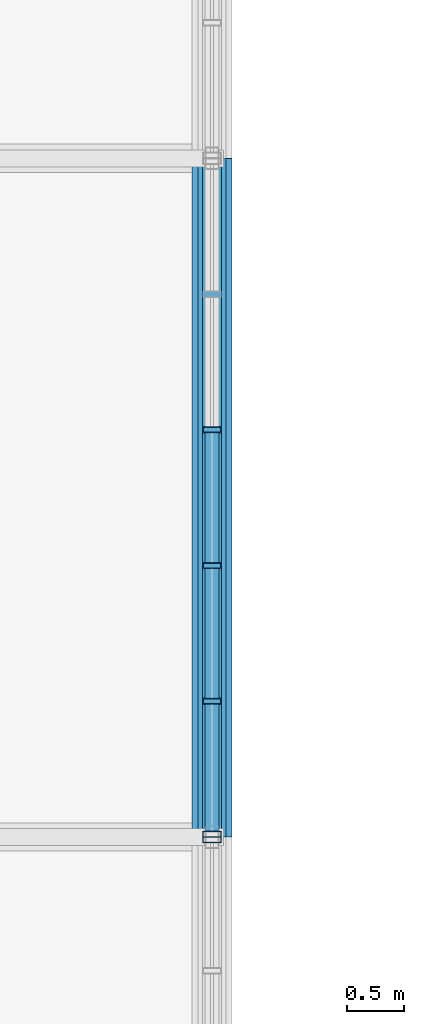
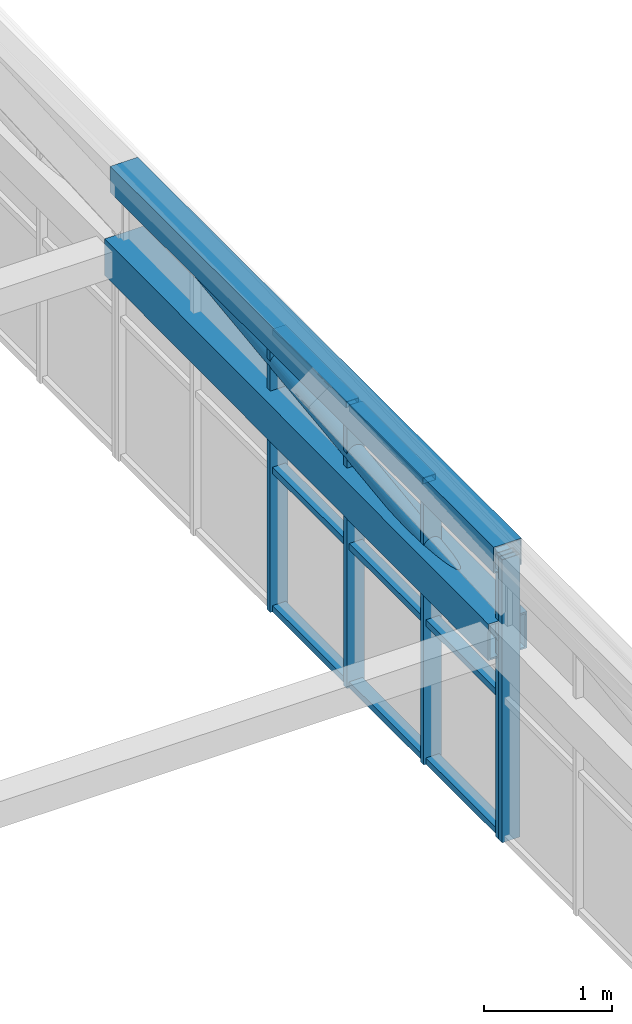
# One storey, part 224 of 324: 17 members, 2 elements without a shape of their own.
"""IFC4 building model written with IfcOpenShell, lengths in metres."""

from ifc_helpers import new_model, si_unit, direction, frame, origin, origin_2d, place, context, subcontext, project, spatial, hollow_rectangle, hollow_circle, extrude, material, layer, layer_set, material_profile, profile_set, type_object, element, aggregate, save


model = new_model("IFC4")

# Units and contexts
model_context = context("Model", 3, precision=1e-05, world=origin(), true_north=direction((0.0, 1.0)))
body_context = subcontext(model_context, "Body", "Model", "MODEL_VIEW")
ifc_project = project(units=[si_unit("LENGTHUNIT", "METRE"), si_unit("AREAUNIT", "SQUARE_METRE"), si_unit("VOLUMEUNIT", "CUBIC_METRE"), si_unit("PLANEANGLEUNIT", "RADIAN"), si_unit("MASSUNIT", "GRAM", prefix="KILO")], contexts=[model_context])

# Site, building, storey
site_placement = place(None, origin())
site = spatial("IfcSite", under=ifc_project, at=site_placement, CompositionType="ELEMENT")
building_placement = place(site_placement, origin())
building = spatial("IfcBuilding", under=site, at=building_placement, Name="Solvenia Promenade Tram Depot", CompositionType="ELEMENT")
storey_placement = place(building_placement, frame((0.0, 0.0, 4.5)))
storey = spatial("IfcBuildingStorey", under=building, at=storey_placement, Name="L01", CompositionType="ELEMENT", Elevation=4.5)

# Curtain wall, member
ifc_material_1 = material(Name="Anodized aluminium AW-6063 T6", Category="aluminium")
ifc_layer = layer(ifc_material_1, 0.159912109375, Name="Anodized aluminium AW-6063 T6", Category="aluminium")
ifc_layer_set = layer_set([ifc_layer], Name="Anodized aluminium AW-6063 T6")
curtain_wall_type = type_object("IfcCurtainWallType", Name="CW-Channel-1200", PredefinedType="NOTDEFINED", material=ifc_layer_set)
curtain_wall_1_placement = place(storey_placement, origin())
curtain_wall_1 = element("IfcCurtainWall", 1, at=curtain_wall_1_placement, inside=storey, type_object=curtain_wall_type, Name="Curtain Wall CW-V1E-03", PredefinedType="NOTDEFINED")
ifc_material_profile_1 = material_profile(ifc_material_1, hollow_rectangle(XDim=0.159912109375, YDim=0.052001953125, WallThickness=0.00390625, at=origin_2d()), Name="ALU-M1", Category="aluminium")
ifc_profile_set_1 = profile_set([ifc_material_profile_1], Name="Anodized aluminium AW-6063 T6")
member_type_1 = type_object("IfcMemberType", Name="CWM-Mullion-1", PredefinedType="MULLION", material=ifc_profile_set_1)
member_1_placement = place(storey_placement, frame((150.0, 83.97412109375, 0.699951171875), z_axis=(0.0, 0.0, 1.0), x_axis=(-1.0, 0.0, 0.0)))
member_1 = element("IfcMember", 2, at=member_1_placement, type_object=member_type_1, Name="CW-1 mullion 6", PredefinedType="MULLION", context=body_context, shape_type="SweptSolid", body=[
    extrude(hollow_rectangle(XDim=0.159912109375, YDim=0.052001953125, WallThickness=0.00390625, at=origin_2d()), origin(), (0.0, 0.0, 1.0), 2.699951171875),
])
aggregate(curtain_wall_1, [member_1])

# Curtain wall, members
curtain_wall_2_placement = place(storey_placement, origin())
curtain_wall_2 = element("IfcCurtainWall", 3, at=curtain_wall_2_placement, inside=storey, type_object=curtain_wall_type, Name="Curtain Wall CW-V1E-04", PredefinedType="NOTDEFINED")
member_2_placement = place(storey_placement, frame((150.0, 84.02587890625, 0.699951171875), z_axis=(0.0, 0.0, 1.0), x_axis=(-1.0, 0.0, 0.0)))
member_2 = element("IfcMember", 4, at=member_2_placement, type_object=member_type_1, Name="CW-1 mullion 1", PredefinedType="MULLION", context=body_context, shape_type="SweptSolid", body=[
    extrude(hollow_rectangle(XDim=0.159912109375, YDim=0.052001953125, WallThickness=0.00390625, at=origin_2d()), origin(), (0.0, 0.0, 1.0), 2.699951171875),
])
member_3_placement = place(storey_placement, frame((150.0, 85.199951171875, 0.699951171875), z_axis=(0.0, 0.0, 1.0), x_axis=(-1.0, 0.0, 0.0)))
member_3 = element("IfcMember", 5, at=member_3_placement, type_object=member_type_1, Name="CW-1 mullion 2", PredefinedType="MULLION", context=body_context, shape_type="SweptSolid", body=[
    extrude(hollow_rectangle(XDim=0.159912109375, YDim=0.052001953125, WallThickness=0.00390625, at=origin_2d()), origin(), (0.0, 0.0, 1.0), 2.699951171875),
])
member_4_placement = place(storey_placement, frame((150.0, 86.39990234375, 0.699951171875), z_axis=(0.0, 0.0, 1.0), x_axis=(-1.0, 0.0, 0.0)))
member_4 = element("IfcMember", 6, at=member_4_placement, type_object=member_type_1, Name="CW-1 mullion 3", PredefinedType="MULLION", context=body_context, shape_type="SweptSolid", body=[
    extrude(hollow_rectangle(XDim=0.159912109375, YDim=0.052001953125, WallThickness=0.00390625, at=origin_2d()), origin(), (0.0, 0.0, 1.0), 2.699951171875),
])
member_5_placement = place(storey_placement, frame((150.0, 87.60009765625, 0.699951171875), z_axis=(0.0, 0.0, 1.0), x_axis=(-1.0, 0.0, 0.0)))
member_5 = element("IfcMember", 7, at=member_5_placement, type_object=member_type_1, Name="CW-1 mullion 4", PredefinedType="MULLION", context=body_context, shape_type="SweptSolid", body=[
    extrude(hollow_rectangle(XDim=0.159912109375, YDim=0.052001953125, WallThickness=0.00390625, at=origin_2d()), origin(), (0.0, 0.0, 1.0), 2.699951171875),
])
ifc_material_profile_2 = material_profile(ifc_material_1, hollow_rectangle(XDim=0.1201171875, YDim=0.06005859375, WallThickness=0.00390625, at=origin_2d()), Name="ALU-T1", Category="aluminium")
ifc_profile_set_2 = profile_set([ifc_material_profile_2], Name="Anodized aluminium AW-6063 T6")
member_type_2 = type_object("IfcMemberType", Name="CWT-Transom-1", PredefinedType="USERDEFINED", material=ifc_profile_set_2)
member_6_placement = place(storey_placement, frame((150.0, 84.052001953125, 0.72998046875), z_axis=(0.0, 1.0, 0.0), x_axis=(-1.0, 0.0, 0.0)))
member_6 = element("IfcMember", 8, at=member_6_placement, type_object=member_type_2, Name="CW-1 transom 1.1", ObjectType="TRANSOM", PredefinedType="USERDEFINED", context=body_context, shape_type="SweptSolid", body=[
    extrude(hollow_rectangle(XDim=0.1201171875, YDim=0.06005859375, WallThickness=0.00390625, at=origin_2d()), origin(), (0.0, 0.0, 1.0), 1.1220703125),
])
member_7_placement = place(storey_placement, frame((150.0, 84.052001953125, 2.050048828125), z_axis=(0.0, 1.0, 0.0), x_axis=(-1.0, 0.0, 0.0)))
member_7 = element("IfcMember", 9, at=member_7_placement, type_object=member_type_2, Name="CW-1 transom 1.2", ObjectType="TRANSOM", PredefinedType="USERDEFINED", context=body_context, shape_type="SweptSolid", body=[
    extrude(hollow_rectangle(XDim=0.1201171875, YDim=0.06005859375, WallThickness=0.00390625, at=origin_2d()), origin(), (0.0, 0.0, 1.0), 1.1220703125),
])
member_8_placement = place(storey_placement, frame((150.0, 84.052001953125, 3.3701171875), z_axis=(0.0, 1.0, 0.0), x_axis=(-1.0, 0.0, 0.0)))
member_8 = element("IfcMember", 10, at=member_8_placement, type_object=member_type_2, Name="CW-1 transom 1.3", ObjectType="TRANSOM", PredefinedType="USERDEFINED", context=body_context, shape_type="SweptSolid", body=[
    extrude(hollow_rectangle(XDim=0.1201171875, YDim=0.06005859375, WallThickness=0.00390625, at=origin_2d()), origin(), (0.0, 0.0, 1.0), 1.1220703125),
])
member_9_placement = place(storey_placement, frame((150.0, 85.22607421875, 0.72998046875), z_axis=(0.0, 1.0, 0.0), x_axis=(-1.0, 0.0, 0.0)))
member_9 = element("IfcMember", 11, at=member_9_placement, type_object=member_type_2, Name="CW-1 transom 2.1", ObjectType="TRANSOM", PredefinedType="USERDEFINED", context=body_context, shape_type="SweptSolid", body=[
    extrude(hollow_rectangle(XDim=0.1201171875, YDim=0.06005859375, WallThickness=0.00390625, at=origin_2d()), origin(), (0.0, 0.0, 1.0), 1.14794921875),
])
member_10_placement = place(storey_placement, frame((150.0, 85.22607421875, 2.050048828125), z_axis=(0.0, 1.0, 0.0), x_axis=(-1.0, 0.0, 0.0)))
member_10 = element("IfcMember", 12, at=member_10_placement, type_object=member_type_2, Name="CW-1 transom 2.2", ObjectType="TRANSOM", PredefinedType="USERDEFINED", context=body_context, shape_type="SweptSolid", body=[
    extrude(hollow_rectangle(XDim=0.1201171875, YDim=0.06005859375, WallThickness=0.00390625, at=origin_2d()), origin(), (0.0, 0.0, 1.0), 1.14794921875),
])
member_11_placement = place(storey_placement, frame((150.0, 85.22607421875, 3.3701171875), z_axis=(0.0, 1.0, 0.0), x_axis=(-1.0, 0.0, 0.0)))
member_11 = element("IfcMember", 13, at=member_11_placement, type_object=member_type_2, Name="CW-1 transom 2.3", ObjectType="TRANSOM", PredefinedType="USERDEFINED", context=body_context, shape_type="SweptSolid", body=[
    extrude(hollow_rectangle(XDim=0.1201171875, YDim=0.06005859375, WallThickness=0.00390625, at=origin_2d()), origin(), (0.0, 0.0, 1.0), 1.14794921875),
])
member_12_placement = place(storey_placement, frame((150.0, 86.426025390625, 0.72998046875), z_axis=(0.0, 1.0, 0.0), x_axis=(-1.0, 0.0, 0.0)))
member_12 = element("IfcMember", 14, at=member_12_placement, type_object=member_type_2, Name="CW-1 transom 3.1", ObjectType="TRANSOM", PredefinedType="USERDEFINED", context=body_context, shape_type="SweptSolid", body=[
    extrude(hollow_rectangle(XDim=0.1201171875, YDim=0.06005859375, WallThickness=0.00390625, at=origin_2d()), origin(), (0.0, 0.0, 1.0), 1.14794921875),
])
member_13_placement = place(storey_placement, frame((150.0, 86.426025390625, 2.050048828125), z_axis=(0.0, 1.0, 0.0), x_axis=(-1.0, 0.0, 0.0)))
member_13 = element("IfcMember", 15, at=member_13_placement, type_object=member_type_2, Name="CW-1 transom 3.2", ObjectType="TRANSOM", PredefinedType="USERDEFINED", context=body_context, shape_type="SweptSolid", body=[
    extrude(hollow_rectangle(XDim=0.1201171875, YDim=0.06005859375, WallThickness=0.00390625, at=origin_2d()), origin(), (0.0, 0.0, 1.0), 1.14794921875),
])
member_14_placement = place(storey_placement, frame((150.0, 86.426025390625, 3.3701171875), z_axis=(0.0, 1.0, 0.0), x_axis=(-1.0, 0.0, 0.0)))
member_14 = element("IfcMember", 16, at=member_14_placement, type_object=member_type_2, Name="CW-1 transom 3.3", ObjectType="TRANSOM", PredefinedType="USERDEFINED", context=body_context, shape_type="SweptSolid", body=[
    extrude(hollow_rectangle(XDim=0.1201171875, YDim=0.06005859375, WallThickness=0.00390625, at=origin_2d()), origin(), (0.0, 0.0, 1.0), 1.14794921875),
])
aggregate(curtain_wall_2, [member_2, member_3, member_4, member_5, member_6, member_7, member_8, member_9, member_10, member_11, member_12, member_13, member_14])

# Members
ifc_material_2 = material(Name="Structural steel ASTM A500 Gr. C", Category="steel")
ifc_material_profile_3 = material_profile(ifc_material_2, hollow_rectangle(XDim=0.25, YDim=0.25, WallThickness=0.010009765625, at=origin_2d()), Name="HSS250x250x10", Category="steel")
ifc_profile_set_3 = profile_set([ifc_material_profile_3], Name="Structural steel ASTM A500 Gr. C")
member_type_3 = type_object("IfcMemberType", Name="Chord-HSS250x250x10", PredefinedType="CHORD", material=ifc_profile_set_3)
member_15_placement = place(storey_placement, frame((150.0, 84.0, 3.3798828125), z_axis=(0.0, 1.0, 0.0), x_axis=(-1.0, 0.0, 0.0)))
element("IfcMember", 17, at=member_15_placement, inside=storey, type_object=member_type_3, Name="Arched Truss T21 Upper Chord S04", PredefinedType="CHORD", context=body_context, shape_type="SweptSolid", body=[
    extrude(hollow_rectangle(XDim=0.25, YDim=0.25, WallThickness=0.010009765625, at=origin_2d()), origin(), (0.0, 0.0, 1.0), 6.0),
])
ifc_material_profile_4 = material_profile(ifc_material_2, hollow_rectangle(XDim=0.35009765625, YDim=0.35009765625, WallThickness=0.01611328125, at=origin_2d()), Name="HSS350x350x16", Category="steel")
ifc_profile_set_4 = profile_set([ifc_material_profile_4], Name="Structural steel ASTM A500 Gr. C")
member_type_4 = type_object("IfcMemberType", Name="Chord-HSS350x350x16", PredefinedType="CHORD", material=ifc_profile_set_4)
member_16_placement = place(storey_placement, frame((150.0, 84.0, 2.614013671875), z_axis=(0.0, 0.999975510013, 0.006998526519), x_axis=(-1.0, 0.0, 0.0)))
element("IfcMember", 18, at=member_16_placement, inside=storey, type_object=member_type_4, Name="Arched Truss T21 Bottom Chord S04", PredefinedType="CHORD", context=body_context, shape_type="SweptSolid", body=[
    extrude(hollow_rectangle(XDim=0.35009765625, YDim=0.35009765625, WallThickness=0.01611328125, at=origin_2d()), origin(), (0.0, 0.0, 1.0), 6.000244140625),
])
ifc_material_profile_5 = material_profile(ifc_material_2, hollow_circle(Radius=0.084228515625, WallThickness=0.008056640625, at=origin_2d()), Name="CHS168.3x8", Category="steel")
ifc_profile_set_5 = profile_set([ifc_material_profile_5], Name="Structural steel ASTM A500 Gr. C")
member_type_5 = type_object("IfcMemberType", Name="WebDiag-CHS168x8", PredefinedType="BRACE", material=ifc_profile_set_5)
member_17_placement = place(storey_placement, frame((150.0, 84.0, 2.614013671875), z_axis=(0.0, 0.991951613347, 0.126617521609), x_axis=(-1.0, 0.0, 0.0)))
element("IfcMember", 19, at=member_17_placement, inside=storey, type_object=member_type_5, Name="Arched Truss T21 Web Diagonal S04", PredefinedType="BRACE", context=body_context, shape_type="SweptSolid", body=[
    extrude(hollow_circle(Radius=0.084228515625, WallThickness=0.008056640625, at=origin_2d()), origin(), (0.0, 0.0, 1.0), 6.048583984375),
])

save(model, "model.ifc")
